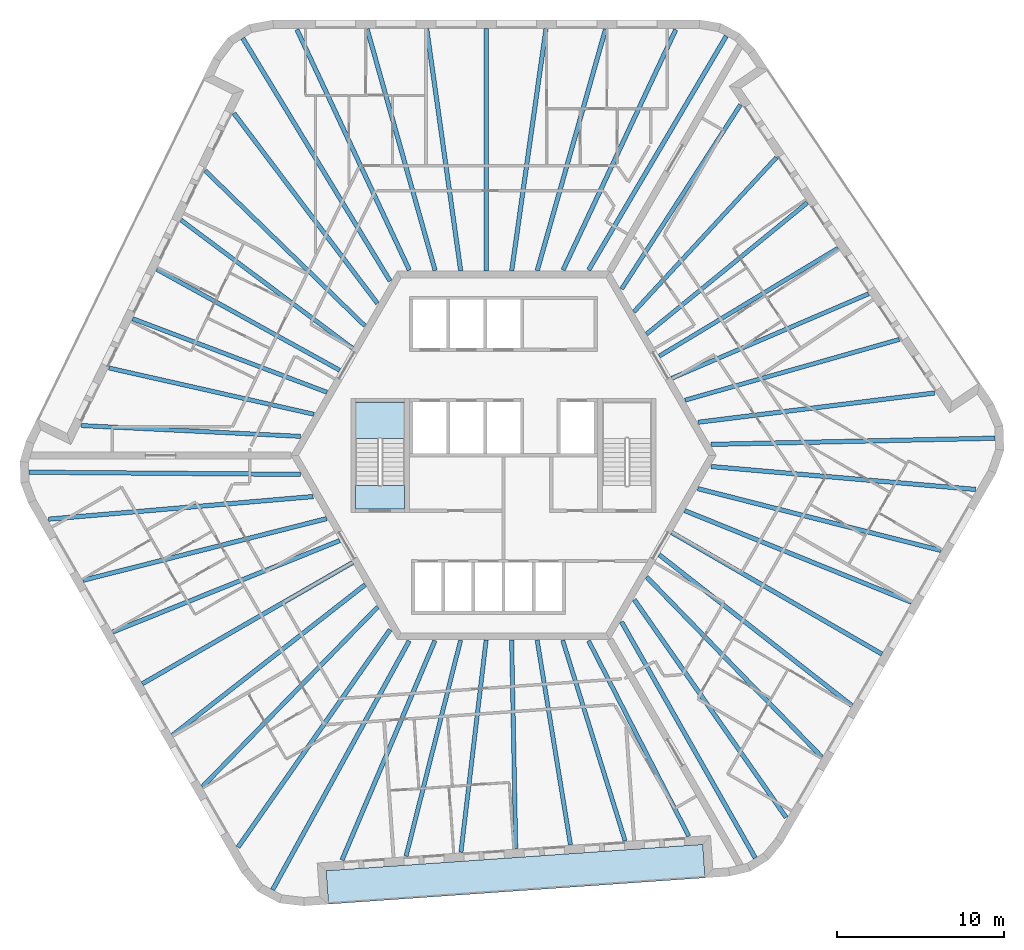
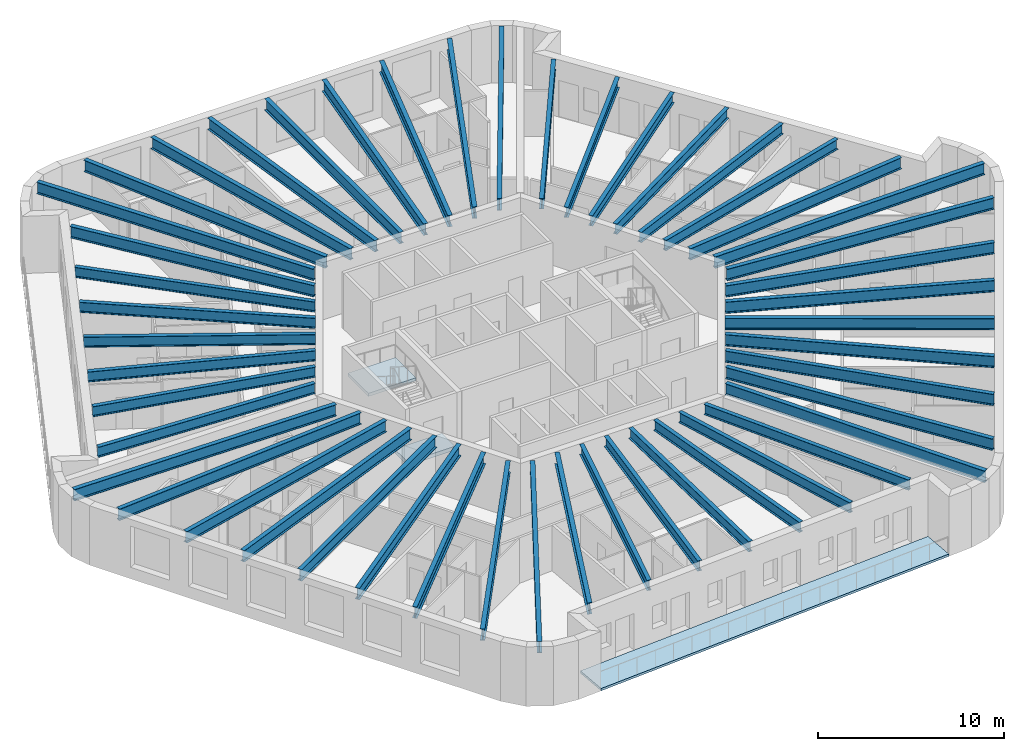
# One storey, part 1 of 12: 48 beams, 3 slabs, 1 element without a shape of its own.
"""IFC4 building model written with IfcOpenShell, lengths in metres."""

from ifc_helpers import new_model, si_unit, direction, frame, origin, origin_2d, place, context, subcontext, project, spatial, polyline, i_section, outline, extrude, material, layer, layer_set, material_profile, profile_set, type_object, element, aggregate, save


model = new_model("IFC4")

# Units and contexts
model_context = context("Model", 3, precision=1e-05, world=origin(), true_north=direction((0.0, 1.0)))
body_context = subcontext(model_context, "Body", "Model", "MODEL_VIEW")
ifc_project = project(units=[si_unit("LENGTHUNIT", "METRE"), si_unit("AREAUNIT", "SQUARE_METRE"), si_unit("VOLUMEUNIT", "CUBIC_METRE"), si_unit("PLANEANGLEUNIT", "RADIAN"), si_unit("MASSUNIT", "GRAM", prefix="KILO")], contexts=[model_context])

# Site, building, storey
site_placement = place(None, origin())
site = spatial("IfcSite", under=ifc_project, at=site_placement, CompositionType="ELEMENT")
building_placement = place(site_placement, origin())
building = spatial("IfcBuilding", under=site, at=building_placement, Name="Tarnside Tower", CompositionType="ELEMENT")
storey_placement = place(building_placement, frame((0.0, 0.0, 283.5)))
storey = spatial("IfcBuildingStorey", under=building, at=storey_placement, Name="L68", CompositionType="ELEMENT", Elevation=283.5)

# Beams
ifc_material_1 = material(Name="Steel S355", Category="steel")
ifc_material_profile_1 = material_profile(ifc_material_1, i_section(OverallWidth=0.2529296875, OverallDepth=0.677978515625, WebThickness=0.01171875, FlangeThickness=0.01611328125, FilletRadius=0.01513671875, at=origin_2d()), Name="UB 686x254x125")
ifc_profile_set_1 = profile_set([ifc_material_profile_1], Name="Steel S355")
beam_type_1 = type_object("IfcBeamType", Name="Floor beam UB 686x254x125", PredefinedType="BEAM", material=ifc_profile_set_1)
beam_1_placement = place(storey_placement, frame((-17.811279296875, 17.002197265625, 3.4111328125), z_axis=(0.717190986424, -0.696876666988, 0.0), x_axis=(0.696876666988, 0.717190986424, 0.0)))
element("IfcBeam", 1, at=beam_1_placement, inside=storey, type_object=beam_type_1, Name="Floor beam F2.02", PredefinedType="BEAM", context=body_context, shape_type="SweptSolid", body=[
    extrude(i_section(OverallWidth=0.2529296875, OverallDepth=0.677978515625, WebThickness=0.01171875, FlangeThickness=0.01611328125, FilletRadius=0.01513671875, at=origin_2d()), origin(), (0.0, 0.0, 1.0), 13.2919921875),
])
beam_2_placement = place(storey_placement, frame((-19.25, 14.0498046875, 3.4111328125), z_axis=(0.801006417676, -0.598655759883, 0.0), x_axis=(0.598655759883, 0.801006417676, 0.0)))
element("IfcBeam", 2, at=beam_2_placement, inside=storey, type_object=beam_type_1, Name="Floor beam F2.03", PredefinedType="BEAM", context=body_context, shape_type="SweptSolid", body=[
    extrude(i_section(OverallWidth=0.2529296875, OverallDepth=0.677978515625, WebThickness=0.01171875, FlangeThickness=0.01611328125, FilletRadius=0.01513671875, at=origin_2d()), origin(), (0.0, 0.0, 1.0), 12.764892578125),
])
beam_3_placement = place(storey_placement, frame((-20.70458984375, 11.111572265625, 3.4111328125), z_axis=(0.875666768762, -0.482915841619, 0.0), x_axis=(0.482915841619, 0.875666768762, 0.0)))
element("IfcBeam", 3, at=beam_3_placement, inside=storey, type_object=beam_type_1, Name="Floor beam F2.04", PredefinedType="BEAM", context=body_context, shape_type="SweptSolid", body=[
    extrude(i_section(OverallWidth=0.2529296875, OverallDepth=0.677978515625, WebThickness=0.01171875, FlangeThickness=0.01611328125, FilletRadius=0.01513671875, at=origin_2d()), origin(), (0.0, 0.0, 1.0), 12.468994140625),
])
beam_4_placement = place(storey_placement, frame((-22.141357421875, 8.165771484375, 3.4111328125), z_axis=(0.935116350489, -0.354340811998, 0.0), x_axis=(0.354340811998, 0.935116350489, 0.0)))
element("IfcBeam", 4, at=beam_4_placement, inside=storey, type_object=beam_type_1, Name="Floor beam F2.05", PredefinedType="BEAM", context=body_context, shape_type="SweptSolid", body=[
    extrude(i_section(OverallWidth=0.2529296875, OverallDepth=0.677978515625, WebThickness=0.01171875, FlangeThickness=0.01611328125, FilletRadius=0.01513671875, at=origin_2d()), origin(), (0.0, 0.0, 1.0), 12.399169921875),
])
beam_5_placement = place(storey_placement, frame((-23.556884765625, 5.2197265625, 3.4111328125), z_axis=(0.975445185376, -0.220242344534, 0.0), x_axis=(0.220242344534, 0.975445185376, 0.0)))
element("IfcBeam", 5, at=beam_5_placement, inside=storey, type_object=beam_type_1, Name="Floor beam F2.06", PredefinedType="BEAM", context=body_context, shape_type="SweptSolid", body=[
    extrude(i_section(OverallWidth=0.2529296875, OverallDepth=0.677978515625, WebThickness=0.01171875, FlangeThickness=0.01611328125, FilletRadius=0.01513671875, at=origin_2d()), origin(), (0.0, 0.0, 1.0), 12.538330078125),
])
beam_6_placement = place(storey_placement, frame((-25.214599609375, 1.7841796875, 3.4111328125), z_axis=(0.998783137237, -0.049317793651, 0.0), x_axis=(0.049317793651, 0.998783137237, 0.0)))
element("IfcBeam", 6, at=beam_6_placement, inside=storey, type_object=beam_type_1, Name="Floor beam F2.07", PredefinedType="BEAM", context=body_context, shape_type="SweptSolid", body=[
    extrude(i_section(OverallWidth=0.2529296875, OverallDepth=0.677978515625, WebThickness=0.01171875, FlangeThickness=0.01611328125, FilletRadius=0.01513671875, at=origin_2d()), origin(), (0.0, 0.0, 1.0), 13.103515625),
])
beam_7_placement = place(storey_placement, frame((-5.818603515625, -23.92626953125, 3.4111328125), z_axis=(0.244907502604, 0.969546448175, 0.0), x_axis=(-0.969546448175, 0.244907502604, 0.0)))
element("IfcBeam", 7, at=beam_7_placement, inside=storey, type_object=beam_type_1, Name="Floor beam F4.02", PredefinedType="BEAM", context=body_context, shape_type="SweptSolid", body=[
    extrude(i_section(OverallWidth=0.2529296875, OverallDepth=0.677978515625, WebThickness=0.01171875, FlangeThickness=0.01611328125, FilletRadius=0.01513671875, at=origin_2d()), origin(), (0.0, 0.0, 1.0), 13.292236328125),
])
beam_8_placement = place(storey_placement, frame((-2.54248046875, -23.69580078125, 3.4111328125), z_axis=(0.117949762105, 0.993019563563, 0.0), x_axis=(-0.993019563563, 0.117949762105, 0.0)))
element("IfcBeam", 8, at=beam_8_placement, inside=storey, type_object=beam_type_1, Name="Floor beam F4.03", PredefinedType="BEAM", context=body_context, shape_type="SweptSolid", body=[
    extrude(i_section(OverallWidth=0.2529296875, OverallDepth=0.677978515625, WebThickness=0.01171875, FlangeThickness=0.01611328125, FilletRadius=0.01513671875, at=origin_2d()), origin(), (0.0, 0.0, 1.0), 12.764892578125),
])
beam_9_placement = place(storey_placement, frame((0.7294921875, -23.486328125, 3.4111328125), z_axis=(-0.019619426101, 0.999807520536, 0.0), x_axis=(-0.999807520536, -0.019619426101, 0.0)))
element("IfcBeam", 9, at=beam_9_placement, inside=storey, type_object=beam_type_1, Name="Floor beam F4.04", PredefinedType="BEAM", context=body_context, shape_type="SweptSolid", body=[
    extrude(i_section(OverallWidth=0.2529296875, OverallDepth=0.677978515625, WebThickness=0.01171875, FlangeThickness=0.01611328125, FilletRadius=0.01513671875, at=origin_2d()), origin(), (0.0, 0.0, 1.0), 12.46875),
])
beam_10_placement = place(storey_placement, frame((3.9990234375, -23.2578125, 3.4111328125), z_axis=(-0.160690769029, 0.987004800773, 0.0), x_axis=(-0.987004800773, -0.160690769029, 0.0)))
element("IfcBeam", 10, at=beam_10_placement, inside=storey, type_object=beam_type_1, Name="Floor beam F4.05", PredefinedType="BEAM", context=body_context, shape_type="SweptSolid", body=[
    extrude(i_section(OverallWidth=0.2529296875, OverallDepth=0.677978515625, WebThickness=0.01171875, FlangeThickness=0.01611328125, FilletRadius=0.01513671875, at=origin_2d()), origin(), (0.0, 0.0, 1.0), 12.399169921875),
])
beam_11_placement = place(storey_placement, frame((7.258056640625, -23.0107421875, 3.4111328125), z_axis=(-0.296997512057, 0.954878252885, 0.0), x_axis=(-0.954878252885, -0.296997512057, 0.0)))
element("IfcBeam", 11, at=beam_11_placement, inside=storey, type_object=beam_type_1, Name="Floor beam F4.06", PredefinedType="BEAM", context=body_context, shape_type="SweptSolid", body=[
    extrude(i_section(OverallWidth=0.2529296875, OverallDepth=0.677978515625, WebThickness=0.01171875, FlangeThickness=0.01611328125, FilletRadius=0.01513671875, at=origin_2d()), origin(), (0.0, 0.0, 1.0), 12.538330078125),
])
beam_12_placement = place(storey_placement, frame((11.06201171875, -22.728515625, 3.4111328125), z_axis=(-0.456683143477, 0.889629420862, 0.0), x_axis=(-0.889629420862, -0.456683143477, 0.0)))
element("IfcBeam", 12, at=beam_12_placement, inside=storey, type_object=beam_type_1, Name="Floor beam F4.07", PredefinedType="BEAM", context=body_context, shape_type="SweptSolid", body=[
    extrude(i_section(OverallWidth=0.2529296875, OverallDepth=0.677978515625, WebThickness=0.01171875, FlangeThickness=0.01611328125, FilletRadius=0.01513671875, at=origin_2d()), origin(), (0.0, 0.0, 1.0), 13.103515625),
])
beam_13_placement = place(storey_placement, frame((23.6298828125, 6.924072265625, 3.4111328125), z_axis=(-0.962104001021, -0.272682766636, 0.0), x_axis=(0.272682766636, -0.962104001021, 0.0)))
element("IfcBeam", 13, at=beam_13_placement, inside=storey, type_object=beam_type_1, Name="Floor beam F6.02", PredefinedType="BEAM", context=body_context, shape_type="SweptSolid", body=[
    extrude(i_section(OverallWidth=0.2529296875, OverallDepth=0.677978515625, WebThickness=0.01171875, FlangeThickness=0.01611328125, FilletRadius=0.01513671875, at=origin_2d()), origin(), (0.0, 0.0, 1.0), 13.2919921875),
])
beam_14_placement = place(storey_placement, frame((21.792236328125, 9.64599609375, 3.4111328125), z_axis=(-0.918954980534, -0.394362452258, 0.0), x_axis=(0.394362452258, -0.918954980534, 0.0)))
element("IfcBeam", 14, at=beam_14_placement, inside=storey, type_object=beam_type_1, Name="Floor beam F6.03", PredefinedType="BEAM", context=body_context, shape_type="SweptSolid", body=[
    extrude(i_section(OverallWidth=0.2529296875, OverallDepth=0.677978515625, WebThickness=0.01171875, FlangeThickness=0.01611328125, FilletRadius=0.01513671875, at=origin_2d()), origin(), (0.0, 0.0, 1.0), 12.7646484375),
])
beam_15_placement = place(storey_placement, frame((19.97509765625, 12.375, 3.4111328125), z_axis=(-0.856046953876, -0.516898068055, 0.0), x_axis=(0.516898068055, -0.856046953876, 0.0)))
element("IfcBeam", 15, at=beam_15_placement, inside=storey, type_object=beam_type_1, Name="Floor beam F6.04", PredefinedType="BEAM", context=body_context, shape_type="SweptSolid", body=[
    extrude(i_section(OverallWidth=0.2529296875, OverallDepth=0.677978515625, WebThickness=0.01171875, FlangeThickness=0.01611328125, FilletRadius=0.01513671875, at=origin_2d()), origin(), (0.0, 0.0, 1.0), 12.46875),
])
beam_16_placement = place(storey_placement, frame((18.142333984375, 15.092041015625, 3.4111328125), z_axis=(-0.774438707576, -0.632648945473, 0.0), x_axis=(0.632648945473, -0.774438707576, 0.0)))
element("IfcBeam", 16, at=beam_16_placement, inside=storey, type_object=beam_type_1, Name="Floor beam F6.05", PredefinedType="BEAM", context=body_context, shape_type="SweptSolid", body=[
    extrude(i_section(OverallWidth=0.2529296875, OverallDepth=0.677978515625, WebThickness=0.01171875, FlangeThickness=0.01611328125, FilletRadius=0.01513671875, at=origin_2d()), origin(), (0.0, 0.0, 1.0), 12.39892578125),
])
beam_17_placement = place(storey_placement, frame((16.299072265625, 17.791015625, 3.4111328125), z_axis=(-0.67846123451, -0.734636204708, 0.0), x_axis=(0.734636204708, -0.67846123451, 0.0)))
element("IfcBeam", 17, at=beam_17_placement, inside=storey, type_object=beam_type_1, Name="Floor beam F6.06", PredefinedType="BEAM", context=body_context, shape_type="SweptSolid", body=[
    extrude(i_section(OverallWidth=0.2529296875, OverallDepth=0.677978515625, WebThickness=0.01171875, FlangeThickness=0.01611328125, FilletRadius=0.01513671875, at=origin_2d()), origin(), (0.0, 0.0, 1.0), 12.538330078125),
])
beam_18_placement = place(storey_placement, frame((14.152587890625, 20.9443359375, 3.4111328125), z_axis=(-0.54209970956, -0.840314170352, 0.0), x_axis=(0.840314170352, -0.54209970956, 0.0)))
element("IfcBeam", 18, at=beam_18_placement, inside=storey, type_object=beam_type_1, Name="Floor beam F6.07", PredefinedType="BEAM", context=body_context, shape_type="SweptSolid", body=[
    extrude(i_section(OverallWidth=0.2529296875, OverallDepth=0.677978515625, WebThickness=0.01171875, FlangeThickness=0.01611328125, FilletRadius=0.01513671875, at=origin_2d()), origin(), (0.0, 0.0, 1.0), 13.103759765625),
])
ifc_material_profile_2 = material_profile(ifc_material_1, i_section(OverallWidth=0.26513671875, OverallDepth=0.75390625, WebThickness=0.0126953125, FlangeThickness=0.017578125, FilletRadius=0.0166015625, at=origin_2d()), Name="UB 762x267x147")
ifc_profile_set_2 = profile_set([ifc_material_profile_2], Name="Steel S355")
beam_type_2 = type_object("IfcBeamType", Name="Floor beam UB 762x267x147", PredefinedType="BEAM", material=ifc_profile_set_2)
beam_19_placement = place(storey_placement, frame((6.093505859375, 25.46142578125, 3.373046875), z_axis=(-0.272147186115, -0.962255636039, 0.0), x_axis=(0.962255636039, -0.272147186115, 0.0)))
element("IfcBeam", 19, at=beam_19_placement, inside=storey, type_object=beam_type_2, Name="Floor beam F1.02", PredefinedType="BEAM", context=body_context, shape_type="SweptSolid", body=[
    extrude(i_section(OverallWidth=0.26513671875, OverallDepth=0.75390625, WebThickness=0.0126953125, FlangeThickness=0.017578125, FilletRadius=0.0166015625, at=origin_2d()), origin(), (0.0, 0.0, 1.0), 14.988525390625),
])
beam_20_placement = place(storey_placement, frame((2.537109375, 25.480224609375, 3.373046875), z_axis=(-0.140349428967, -0.990102034029, 0.0), x_axis=(0.990102034029, -0.140349428967, 0.0)))
element("IfcBeam", 20, at=beam_20_placement, inside=storey, type_object=beam_type_2, Name="Floor beam F1.03", PredefinedType="BEAM", context=body_context, shape_type="SweptSolid", body=[
    extrude(i_section(OverallWidth=0.26513671875, OverallDepth=0.75390625, WebThickness=0.0126953125, FlangeThickness=0.017578125, FilletRadius=0.0166015625, at=origin_2d()), origin(), (0.0, 0.0, 1.0), 14.60498046875),
])
beam_21_placement = place(storey_placement, frame((-1.02490234375, 25.5, 3.373046875), z_axis=(-0.000656653953, -0.999999784403, 0.0), x_axis=(0.999999784403, -0.000656653953, 0.0)))
element("IfcBeam", 21, at=beam_21_placement, inside=storey, type_object=beam_type_2, Name="Floor beam F1.04", PredefinedType="BEAM", context=body_context, shape_type="SweptSolid", body=[
    extrude(i_section(OverallWidth=0.26513671875, OverallDepth=0.75390625, WebThickness=0.0126953125, FlangeThickness=0.017578125, FilletRadius=0.0166015625, at=origin_2d()), origin(), (0.0, 0.0, 1.0), 14.5),
])
beam_22_placement = place(storey_placement, frame((-4.5869140625, 25.480224609375, 3.373046875), z_axis=(0.139070897001, -0.990282427193, 0.0), x_axis=(0.990282427193, 0.139070897001, 0.0)))
element("IfcBeam", 22, at=beam_22_placement, inside=storey, type_object=beam_type_2, Name="Floor beam F1.05", PredefinedType="BEAM", context=body_context, shape_type="SweptSolid", body=[
    extrude(i_section(OverallWidth=0.26513671875, OverallDepth=0.75390625, WebThickness=0.0126953125, FlangeThickness=0.017578125, FilletRadius=0.0166015625, at=origin_2d()), origin(), (0.0, 0.0, 1.0), 14.602294921875),
])
beam_23_placement = place(storey_placement, frame((-8.1435546875, 25.46142578125, 3.373046875), z_axis=(0.270985274434, -0.962583493023, 0.0), x_axis=(0.962583493023, 0.270985274434, 0.0)))
element("IfcBeam", 23, at=beam_23_placement, inside=storey, type_object=beam_type_2, Name="Floor beam F1.06", PredefinedType="BEAM", context=body_context, shape_type="SweptSolid", body=[
    extrude(i_section(OverallWidth=0.26513671875, OverallDepth=0.75390625, WebThickness=0.0126953125, FlangeThickness=0.017578125, FilletRadius=0.0166015625, at=origin_2d()), origin(), (0.0, 0.0, 1.0), 14.9833984375),
])
beam_24_placement = place(storey_placement, frame((-16.101318359375, 20.43212890625, 3.373046875), z_axis=(0.602566097863, -0.798068980543, 0.0), x_axis=(0.798068980543, 0.602566097863, 0.0)))
element("IfcBeam", 24, at=beam_24_placement, inside=storey, type_object=beam_type_2, Name="Floor beam F2.01", PredefinedType="BEAM", context=body_context, shape_type="SweptSolid", body=[
    extrude(i_section(OverallWidth=0.26513671875, OverallDepth=0.75390625, WebThickness=0.0126953125, FlangeThickness=0.017578125, FilletRadius=0.0166015625, at=origin_2d()), origin(), (0.0, 0.0, 1.0), 14.231201171875),
])
beam_25_placement = place(storey_placement, frame((-25.09716796875, -7.45361328125, 3.373046875), z_axis=(0.969413823687, 0.245431942592, 0.0), x_axis=(-0.245431942592, 0.969413823687, 0.0)))
element("IfcBeam", 25, at=beam_25_placement, inside=storey, type_object=beam_type_2, Name="Floor beam F3.02", PredefinedType="BEAM", context=body_context, shape_type="SweptSolid", body=[
    extrude(i_section(OverallWidth=0.26513671875, OverallDepth=0.75390625, WebThickness=0.0126953125, FlangeThickness=0.017578125, FilletRadius=0.0166015625, at=origin_2d()), origin(), (0.0, 0.0, 1.0), 14.98876953125),
])
beam_26_placement = place(storey_placement, frame((-23.3349609375, -10.54296875, 3.373046875), z_axis=(0.927625766949, 0.373510958998, 0.0), x_axis=(-0.373510958998, 0.927625766949, 0.0)))
element("IfcBeam", 26, at=beam_26_placement, inside=storey, type_object=beam_type_2, Name="Floor beam F3.03", PredefinedType="BEAM", context=body_context, shape_type="SweptSolid", body=[
    extrude(i_section(OverallWidth=0.26513671875, OverallDepth=0.75390625, WebThickness=0.0126953125, FlangeThickness=0.017578125, FilletRadius=0.0166015625, at=origin_2d()), origin(), (0.0, 0.0, 1.0), 14.60498046875),
])
beam_27_placement = place(storey_placement, frame((-21.5712890625, -13.6376953125, 3.373046875), z_axis=(0.866357363831, 0.499424587036, 0.0), x_axis=(-0.499424587036, 0.866357363831, 0.0)))
element("IfcBeam", 27, at=beam_27_placement, inside=storey, type_object=beam_type_2, Name="Floor beam F3.04", PredefinedType="BEAM", context=body_context, shape_type="SweptSolid", body=[
    extrude(i_section(OverallWidth=0.26513671875, OverallDepth=0.75390625, WebThickness=0.0126953125, FlangeThickness=0.017578125, FilletRadius=0.0166015625, at=origin_2d()), origin(), (0.0, 0.0, 1.0), 14.5),
])
beam_28_placement = place(storey_placement, frame((-19.77294921875, -16.71240234375, 3.373046875), z_axis=(0.788074813552, 0.615579473541, 0.0), x_axis=(-0.615579473541, 0.788074813552, 0.0)))
element("IfcBeam", 28, at=beam_28_placement, inside=storey, type_object=beam_type_2, Name="Floor beam F3.05", PredefinedType="BEAM", context=body_context, shape_type="SweptSolid", body=[
    extrude(i_section(OverallWidth=0.26513671875, OverallDepth=0.75390625, WebThickness=0.0126953125, FlangeThickness=0.017578125, FilletRadius=0.0166015625, at=origin_2d()), origin(), (0.0, 0.0, 1.0), 14.60205078125),
])
beam_29_placement = place(storey_placement, frame((-17.978515625, -19.783203125, 3.373046875), z_axis=(0.698129580508, 0.71597143017, 0.0), x_axis=(-0.71597143017, 0.698129580508, 0.0)))
element("IfcBeam", 29, at=beam_29_placement, inside=storey, type_object=beam_type_2, Name="Floor beam F3.06", PredefinedType="BEAM", context=body_context, shape_type="SweptSolid", body=[
    extrude(i_section(OverallWidth=0.26513671875, OverallDepth=0.75390625, WebThickness=0.0126953125, FlangeThickness=0.017578125, FilletRadius=0.0166015625, at=origin_2d()), origin(), (0.0, 0.0, 1.0), 14.983642578125),
])
beam_30_placement = place(storey_placement, frame((-9.64404296875, -24.160400390625, 3.373046875), z_axis=(0.389873911801, 0.920868249478, 0.0), x_axis=(-0.920868249478, 0.389873911801, 0.0)))
element("IfcBeam", 30, at=beam_30_placement, inside=storey, type_object=beam_type_2, Name="Floor beam F4.01", PredefinedType="BEAM", context=body_context, shape_type="SweptSolid", body=[
    extrude(i_section(OverallWidth=0.26513671875, OverallDepth=0.75390625, WebThickness=0.0126953125, FlangeThickness=0.017578125, FilletRadius=0.0166015625, at=origin_2d()), origin(), (0.0, 0.0, 1.0), 14.231201171875),
])
beam_31_placement = place(storey_placement, frame((19.00341796875, -18.008056640625, 3.373046875), z_axis=(-0.697249797022, 0.716828236437, 0.0), x_axis=(-0.716828236437, -0.697249797022, 0.0)))
element("IfcBeam", 31, at=beam_31_placement, inside=storey, type_object=beam_type_2, Name="Floor beam F5.02", PredefinedType="BEAM", context=body_context, shape_type="SweptSolid", body=[
    extrude(i_section(OverallWidth=0.26513671875, OverallDepth=0.75390625, WebThickness=0.0126953125, FlangeThickness=0.017578125, FilletRadius=0.0166015625, at=origin_2d()), origin(), (0.0, 0.0, 1.0), 14.98876953125),
])
beam_32_placement = place(storey_placement, frame((20.798095703125, -14.937255859375, 3.373046875), z_axis=(-0.787282014804, 0.616593082321, 0.0), x_axis=(-0.616593082321, -0.787282014804, 0.0)))
element("IfcBeam", 32, at=beam_32_placement, inside=storey, type_object=beam_type_2, Name="Floor beam F5.03", PredefinedType="BEAM", context=body_context, shape_type="SweptSolid", body=[
    extrude(i_section(OverallWidth=0.26513671875, OverallDepth=0.75390625, WebThickness=0.0126953125, FlangeThickness=0.017578125, FilletRadius=0.0166015625, at=origin_2d()), origin(), (0.0, 0.0, 1.0), 14.60498046875),
])
beam_33_placement = place(storey_placement, frame((22.59619140625, -11.8623046875, 3.373046875), z_axis=(-0.865697438889, 0.500567622106, 0.0), x_axis=(-0.500567622106, -0.865697438889, 0.0)))
element("IfcBeam", 33, at=beam_33_placement, inside=storey, type_object=beam_type_2, Name="Floor beam F5.04", PredefinedType="BEAM", context=body_context, shape_type="SweptSolid", body=[
    extrude(i_section(OverallWidth=0.26513671875, OverallDepth=0.75390625, WebThickness=0.0126953125, FlangeThickness=0.017578125, FilletRadius=0.0166015625, at=origin_2d()), origin(), (0.0, 0.0, 1.0), 14.500244140625),
])
beam_34_placement = place(storey_placement, frame((24.35986328125, -8.767578125, 3.373046875), z_axis=(-0.927145907531, 0.374700501933, 0.0), x_axis=(-0.374700501933, -0.927145907531, 0.0)))
element("IfcBeam", 34, at=beam_34_placement, inside=storey, type_object=beam_type_2, Name="Floor beam F5.05", PredefinedType="BEAM", context=body_context, shape_type="SweptSolid", body=[
    extrude(i_section(OverallWidth=0.26513671875, OverallDepth=0.75390625, WebThickness=0.0126953125, FlangeThickness=0.017578125, FilletRadius=0.0166015625, at=origin_2d()), origin(), (0.0, 0.0, 1.0), 14.60205078125),
])
beam_35_placement = place(storey_placement, frame((26.1220703125, -5.67822265625, 3.373046875), z_axis=(-0.969115089144, 0.246608888716, 0.0), x_axis=(-0.246608888716, -0.969115089144, 0.0)))
element("IfcBeam", 35, at=beam_35_placement, inside=storey, type_object=beam_type_2, Name="Floor beam F5.06", PredefinedType="BEAM", context=body_context, shape_type="SweptSolid", body=[
    extrude(i_section(OverallWidth=0.26513671875, OverallDepth=0.75390625, WebThickness=0.0126953125, FlangeThickness=0.017578125, FilletRadius=0.0166015625, at=origin_2d()), origin(), (0.0, 0.0, 1.0), 14.9833984375),
])
beam_36_placement = place(storey_placement, frame((25.745361328125, 3.72802734375, 3.373046875), z_axis=(-0.992433598491, -0.122782541866, 0.0), x_axis=(0.122782541866, -0.992433598491, 0.0)))
element("IfcBeam", 36, at=beam_36_placement, inside=storey, type_object=beam_type_2, Name="Floor beam F6.01", PredefinedType="BEAM", context=body_context, shape_type="SweptSolid", body=[
    extrude(i_section(OverallWidth=0.26513671875, OverallDepth=0.75390625, WebThickness=0.0126953125, FlangeThickness=0.017578125, FilletRadius=0.0166015625, at=origin_2d()), origin(), (0.0, 0.0, 1.0), 14.23095703125),
])
ifc_material_profile_3 = material_profile(ifc_material_1, i_section(OverallWidth=0.2666015625, OverallDepth=0.76220703125, WebThickness=0.014404296875, FlangeThickness=0.021484375, FilletRadius=0.0166015625, at=origin_2d()), Name="UB 762x267x173")
ifc_profile_set_3 = profile_set([ifc_material_profile_3], Name="Steel S355")
beam_type_3 = type_object("IfcBeamType", Name="Floor beam UB 762x267x173", PredefinedType="BEAM", material=ifc_profile_set_3)
beam_37_placement = place(storey_placement, frame((10.285400390625, 25.427490234375, 3.368896484375), z_axis=(-0.424439399801, -0.905456346765, 0.0), x_axis=(0.905456346765, -0.424439399801, 0.0)))
element("IfcBeam", 37, at=beam_37_placement, inside=storey, type_object=beam_type_3, Name="Floor beam F1.01", PredefinedType="BEAM", context=body_context, shape_type="SweptSolid", body=[
    extrude(i_section(OverallWidth=0.2666015625, OverallDepth=0.76220703125, WebThickness=0.014404296875, FlangeThickness=0.021484375, FilletRadius=0.0166015625, at=origin_2d()), origin(), (0.0, 0.0, 1.0), 15.853759765625),
])
beam_38_placement = place(storey_placement, frame((-12.335205078125, 25.427490234375, 3.368896484375), z_axis=(0.423453877267, -0.905917663934, 0.0), x_axis=(0.905917663934, 0.423453877267, 0.0)))
element("IfcBeam", 38, at=beam_38_placement, inside=storey, type_object=beam_type_3, Name="Floor beam F1.07", PredefinedType="BEAM", context=body_context, shape_type="SweptSolid", body=[
    extrude(i_section(OverallWidth=0.2666015625, OverallDepth=0.76220703125, WebThickness=0.014404296875, FlangeThickness=0.021484375, FilletRadius=0.0166015625, at=origin_2d()), origin(), (0.0, 0.0, 1.0), 15.845703125),
])
beam_39_placement = place(storey_placement, frame((-15.5703125, 24.91162109375, 3.368896484375), z_axis=(0.518716683755, -0.854946198304, 0.0), x_axis=(0.854946198304, 0.518716683755, 0.0)))
element("IfcBeam", 39, at=beam_39_placement, inside=storey, type_object=beam_type_3, Name="Floor beam C1", PredefinedType="BEAM", context=body_context, shape_type="SweptSolid", body=[
    extrude(i_section(OverallWidth=0.2666015625, OverallDepth=0.76220703125, WebThickness=0.014404296875, FlangeThickness=0.021484375, FilletRadius=0.0166015625, at=origin_2d()), origin(), (0.0, 0.0, 1.0), 16.961181640625),
])
beam_40_placement = place(storey_placement, frame((-28.3291015625, -1.0009765625, 3.368896484375), z_axis=(0.999966651082, -0.008166806173, 0.0), x_axis=(0.008166806173, 0.999966651082, 0.0)))
element("IfcBeam", 40, at=beam_40_placement, inside=storey, type_object=beam_type_3, Name="Floor beam C2", PredefinedType="BEAM", context=body_context, shape_type="SweptSolid", body=[
    extrude(i_section(OverallWidth=0.2666015625, OverallDepth=0.76220703125, WebThickness=0.014404296875, FlangeThickness=0.021484375, FilletRadius=0.0166015625, at=origin_2d()), origin(), (0.0, 0.0, 1.0), 16.20263671875),
])
beam_41_placement = place(storey_placement, frame((-27.16357421875, -3.806396484375, 3.368896484375), z_axis=(0.996367434748, 0.085158293626, 0.0), x_axis=(-0.085158293626, 0.996367434748, 0.0)))
element("IfcBeam", 41, at=beam_41_placement, inside=storey, type_object=beam_type_3, Name="Floor beam F3.01", PredefinedType="BEAM", context=body_context, shape_type="SweptSolid", body=[
    extrude(i_section(OverallWidth=0.2666015625, OverallDepth=0.76220703125, WebThickness=0.014404296875, FlangeThickness=0.021484375, FilletRadius=0.0166015625, at=origin_2d()), origin(), (0.0, 0.0, 1.0), 15.85400390625),
])
beam_42_placement = place(storey_placement, frame((-15.853271484375, -23.396484375, 3.368896484375), z_axis=(0.572816933654, 0.819683329414, 0.0), x_axis=(-0.819683329414, 0.572816933654, 0.0)))
element("IfcBeam", 42, at=beam_42_placement, inside=storey, type_object=beam_type_3, Name="Floor beam F3.07", PredefinedType="BEAM", context=body_context, shape_type="SweptSolid", body=[
    extrude(i_section(OverallWidth=0.2666015625, OverallDepth=0.76220703125, WebThickness=0.014404296875, FlangeThickness=0.021484375, FilletRadius=0.0166015625, at=origin_2d()), origin(), (0.0, 0.0, 1.0), 15.84619140625),
])
beam_43_placement = place(storey_placement, frame((-13.788818359375, -25.93994140625, 3.368896484375), z_axis=(0.481036073107, 0.876700802081, 0.0), x_axis=(-0.876700802081, 0.481036073107, 0.0)))
element("IfcBeam", 43, at=beam_43_placement, inside=storey, type_object=beam_type_3, Name="Floor beam C3", PredefinedType="BEAM", context=body_context, shape_type="SweptSolid", body=[
    extrude(i_section(OverallWidth=0.2666015625, OverallDepth=0.76220703125, WebThickness=0.014404296875, FlangeThickness=0.021484375, FilletRadius=0.0166015625, at=origin_2d()), origin(), (0.0, 0.0, 1.0), 16.961181640625),
])
beam_44_placement = place(storey_placement, frame((15.031494140625, -24.033447265625, 3.368896484375), z_axis=(-0.49290801997, 0.870081423689, 0.0), x_axis=(-0.870081423689, -0.49290801997, 0.0)))
element("IfcBeam", 44, at=beam_44_placement, inside=storey, type_object=beam_type_3, Name="Floor beam C4", PredefinedType="BEAM", context=body_context, shape_type="SweptSolid", body=[
    extrude(i_section(OverallWidth=0.2666015625, OverallDepth=0.76220703125, WebThickness=0.014404296875, FlangeThickness=0.021484375, FilletRadius=0.0166015625, at=origin_2d()), origin(), (0.0, 0.0, 1.0), 16.202880859375),
])
beam_45_placement = place(storey_placement, frame((16.87841796875, -21.62109375, 3.368896484375), z_axis=(-0.571946235641, 0.82029110902, 0.0), x_axis=(-0.82029110902, -0.571946235641, 0.0)))
element("IfcBeam", 45, at=beam_45_placement, inside=storey, type_object=beam_type_3, Name="Floor beam F5.01", PredefinedType="BEAM", context=body_context, shape_type="SweptSolid", body=[
    extrude(i_section(OverallWidth=0.2666015625, OverallDepth=0.76220703125, WebThickness=0.014404296875, FlangeThickness=0.021484375, FilletRadius=0.0166015625, at=origin_2d()), origin(), (0.0, 0.0, 1.0), 15.85400390625),
])
beam_46_placement = place(storey_placement, frame((28.1884765625, -2.03125, 3.368896484375), z_axis=(-0.996273584651, 0.086249316098, 0.0), x_axis=(-0.086249316098, -0.996273584651, 0.0)))
element("IfcBeam", 46, at=beam_46_placement, inside=storey, type_object=beam_type_3, Name="Floor beam F5.07", PredefinedType="BEAM", context=body_context, shape_type="SweptSolid", body=[
    extrude(i_section(OverallWidth=0.2666015625, OverallDepth=0.76220703125, WebThickness=0.014404296875, FlangeThickness=0.021484375, FilletRadius=0.0166015625, at=origin_2d()), origin(), (0.0, 0.0, 1.0), 15.845947265625),
])
beam_47_placement = place(storey_placement, frame((29.359130859375, 1.028564453125, 3.368896484375), z_axis=(-0.999763142455, -0.02176370807, 0.0), x_axis=(0.02176370807, -0.999763142455, 0.0)))
element("IfcBeam", 47, at=beam_47_placement, inside=storey, type_object=beam_type_3, Name="Floor beam C5", PredefinedType="BEAM", context=body_context, shape_type="SweptSolid", body=[
    extrude(i_section(OverallWidth=0.2666015625, OverallDepth=0.76220703125, WebThickness=0.014404296875, FlangeThickness=0.021484375, FilletRadius=0.0166015625, at=origin_2d()), origin(), (0.0, 0.0, 1.0), 16.961181640625),
])
beam_48_placement = place(storey_placement, frame((13.2978515625, 25.0341796875, 3.368896484375), z_axis=(-0.507080048325, -0.861898964259, 0.0), x_axis=(0.861898964259, -0.507080048325, 0.0)))
element("IfcBeam", 48, at=beam_48_placement, inside=storey, type_object=beam_type_3, Name="Floor beam C6", PredefinedType="BEAM", context=body_context, shape_type="SweptSolid", body=[
    extrude(i_section(OverallWidth=0.2666015625, OverallDepth=0.76220703125, WebThickness=0.014404296875, FlangeThickness=0.021484375, FilletRadius=0.0166015625, at=origin_2d()), origin(), (0.0, 0.0, 1.0), 16.20263671875),
])

# Slabs
ifc_material_2 = material(Name="Concrete C40/50", Category="concrete")
ifc_layer_1 = layer(ifc_material_2, 0.25)
ifc_layer_set_1 = layer_set([ifc_layer_1], Name="Core slab C40/50")
slab_type_1 = type_object("IfcSlabType", Name="Core slab C40/50", PredefinedType="FLOOR", material=ifc_layer_set_1)
slab_1_placement = place(storey_placement, frame((0.0, 0.0, -0.25)))
element("IfcSlab", 49, at=slab_1_placement, inside=storey, type_object=slab_type_1, Name="L68 core floor slab 2", PredefinedType="FLOOR", context=body_context, shape_type="SweptSolid", body=[
    extrude(outline(polyline([(-8.85009765625, -3.199951171875), (-8.85009765625, -1.800048828125), (-5.89990234375, -1.800048828125), (-5.89990234375, -3.199951171875), (-8.85009765625, -3.199951171875)])), origin(), (0.0, 0.0, 1.0), 0.25),
])
ifc_material_3 = material(Name="Timber decking", Category="wood")
ifc_layer_2 = layer(ifc_material_3, 0.0400390625)
ifc_material_4 = material(Name="Concrete C60/75 precast", Category="concrete")
ifc_layer_3 = layer(ifc_material_4, 0.110107421875)
ifc_layer_set_2 = layer_set([ifc_layer_2, ifc_layer_3], Name="Loggia deck 150")
slab_type_2 = type_object("IfcSlabType", Name="Loggia deck 150", PredefinedType="FLOOR", material=ifc_layer_set_2)
slab_2_placement = place(storey_placement, frame((0.0, 0.0, -0.14990234375)))
element("IfcSlab", 50, at=slab_2_placement, inside=storey, type_object=slab_type_2, Name="Loggia deck L68 F4", PredefinedType="FLOOR", context=body_context, shape_type="SweptSolid", body=[
    extrude(outline(polyline([(-10.593017578125, -24.79931640625), (11.896728515625, -23.226806640625), (12.036376953125, -25.221923828125), (-10.45361328125, -26.79443359375), (-10.593017578125, -24.79931640625)])), origin(), (0.0, 0.0, 1.0), 0.14990234375),
])

# Stair, slab
stair_type = type_object("IfcStairType", Name="Exit stair 1400 clear", PredefinedType="HALF_TURN_STAIR", material=ifc_material_2)
stair_placement = place(storey_placement, origin())
stair = element("IfcStair", 51, at=stair_placement, inside=storey, type_object=stair_type, Name="L68 Exit stair 2", PredefinedType="HALF_TURN_STAIR")
ifc_layer_4 = layer(ifc_material_2, 0.199951171875)
ifc_layer_set_3 = layer_set([ifc_layer_4], Name="Stair landing 200 C40/50")
slab_type_3 = type_object("IfcSlabType", Name="Stair landing 200 C40/50", PredefinedType="LANDING", material=ifc_layer_set_3)
slab_3_placement = place(storey_placement, frame((0.0, 0.0, 1.75)))
slab_3 = element("IfcSlab", 52, at=slab_3_placement, type_object=slab_type_3, Name="ST2 landing 1", PredefinedType="LANDING", context=body_context, shape_type="SweptSolid", body=[
    extrude(outline(polyline([(-5.89990234375, 1.0), (-5.89990234375, 3.199951171875), (-8.85009765625, 3.199951171875), (-8.85009765625, 1.0), (-5.89990234375, 1.0)])), origin(), (0.0, 0.0, 1.0), 0.199951171875),
])
aggregate(stair, [slab_3])

save(model, "model.ifc")
